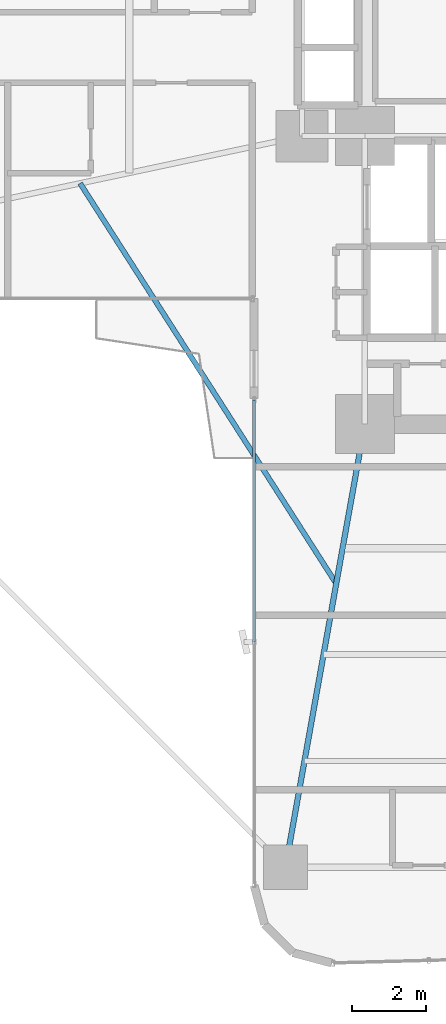
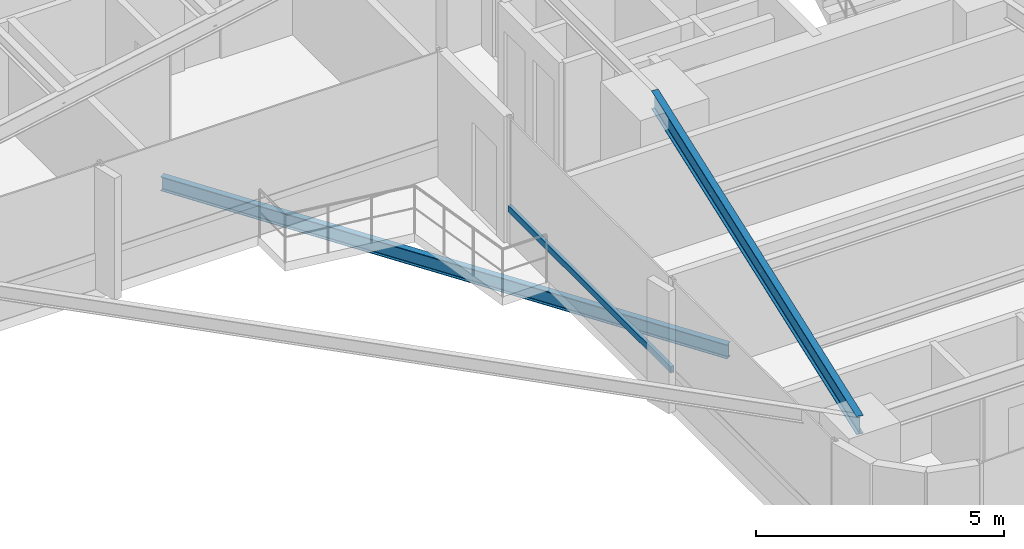
# One storey, part 3 of 26: 2 beams, 1 member, 1 element without a shape of its own.
"""IFC4 building model written with IfcOpenShell, lengths in metres."""

from ifc_helpers import new_model, si_unit, direction, frame, origin, origin_2d, place, context, subcontext, project, spatial, hollow_rectangle, i_section, extrude, source, transform, mapped, material, material_profile, profile_set, type_object, element, aggregate, save


model = new_model("IFC4")

# Units and contexts
model_context = context("Model", 3, precision=1e-05, world=origin(), true_north=direction((0.0, 1.0)))
body_context = subcontext(model_context, "Body", "Model", "MODEL_VIEW")
ifc_project = project(units=[si_unit("LENGTHUNIT", "METRE"), si_unit("AREAUNIT", "SQUARE_METRE"), si_unit("VOLUMEUNIT", "CUBIC_METRE"), si_unit("PLANEANGLEUNIT", "RADIAN"), si_unit("MASSUNIT", "GRAM", prefix="KILO")], contexts=[model_context])

# Site, building, storey
site_placement = place(None, origin())
site = spatial("IfcSite", under=ifc_project, at=site_placement, CompositionType="ELEMENT")
building_placement = place(site_placement, origin())
building = spatial("IfcBuilding", under=site, at=building_placement, Name="Sahyath Konkavel Grand Hotel", CompositionType="ELEMENT")
storey_placement = place(building_placement, frame((0.0, 0.0, 29.800048828125)))
storey = spatial("IfcBuildingStorey", under=building, at=storey_placement, Name="L07", CompositionType="ELEMENT", Elevation=29.800048828125)

# Beam
ifc_material_1 = material(Name="Steel E350", Category="steel")
ifc_material_profile_1 = material_profile(ifc_material_1, i_section(OverallWidth=0.14990234375, OverallDepth=0.449951171875, WebThickness=0.009521484375, FlangeThickness=0.017333984375, FilletRadius=0.014892578125, at=origin_2d()), Name="ISMB 450")
ifc_profile_set_1 = profile_set([ifc_material_profile_1], Name="Steel E350")
beam_type_1 = type_object("IfcBeamType", Name="BM-ISMB450", PredefinedType="BEAM", material=ifc_profile_set_1)
shared_shape_1 = source(origin(), body_context, "Body", "SweptSolid", [
    extrude(i_section(OverallWidth=0.14990234375, OverallDepth=0.449951171875, WebThickness=0.009521484375, FlangeThickness=0.017333984375, FilletRadius=0.014892578125, at=origin_2d()), origin(), (0.0, 0.0, 1.0), 12.191162109375),
])
beam_1_placement = place(storey_placement, frame((-3.800048828125, -10.199951171875, 2.885009765625), z_axis=(-0.176350650305, -0.984327409014, 0.0), x_axis=(0.984327409014, -0.176350650305, 0.0)))
element("IfcBeam", 1, at=beam_1_placement, inside=storey, type_object=beam_type_1, Name="L07 Cruciform Radial Girder SA", PredefinedType="BEAM", context=body_context, shape_type="MappedRepresentation", body=[
    mapped(shared_shape_1, transform((0.0, 0.0, 0.0), scale=1.0)),
])

# Curtain wall, member
ifc_material_2 = material(Name="Anodised Bronze Aluminium & Low-E Glazing", Category="aluminium")
curtain_wall_type = type_object("IfcCurtainWallType", Name="CW-ZONE1", PredefinedType="NOTDEFINED", material=ifc_material_2)
curtain_wall_placement = place(storey_placement, origin())
curtain_wall = element("IfcCurtainWall", 2, at=curtain_wall_placement, inside=storey, type_object=curtain_wall_type, Name="L07 Unitised Curtain Wall F24", PredefinedType="NOTDEFINED")
ifc_material_3 = material(Name="Anodised Bronze Aluminium", Category="aluminium")
ifc_material_profile_2 = material_profile(ifc_material_3, hollow_rectangle(XDim=0.080078125, YDim=0.159912109375, WallThickness=0.006103515625, at=origin_2d()), Name="RHS 160x80x6")
ifc_profile_set_2 = profile_set([ifc_material_profile_2], Name="Anodised Bronze Aluminium")
member_type = type_object("IfcMemberType", Name="CW-TRN-160", PredefinedType="USERDEFINED", material=ifc_profile_set_2)
shared_shape_2 = source(origin(), body_context, "Body", "SweptSolid", [
    extrude(hollow_rectangle(XDim=0.080078125, YDim=0.159912109375, WallThickness=0.006103515625, at=origin_2d()), origin(), (0.0, 0.0, 1.0), 6.56005859375),
])
member_placement = place(storey_placement, frame((-6.800048828125, -9.5400390625, 0.849853515625), z_axis=(0.0, -1.0, 0.0), x_axis=(1.0, 0.0, 0.0)))
member = element("IfcMember", 3, at=member_placement, type_object=member_type, Name="L07 Curtain Wall Transom F24-0-spandrel", ObjectType="TRANSOM", PredefinedType="USERDEFINED", context=body_context, shape_type="MappedRepresentation", body=[
    mapped(shared_shape_2, transform((0.0, 0.0, 0.0), scale=1.0)),
])
aggregate(curtain_wall, [member])

# Beam
ifc_material_profile_3 = material_profile(ifc_material_1, i_section(OverallWidth=0.139892578125, OverallDepth=0.35009765625, WebThickness=0.008056640625, FlangeThickness=0.01416015625, FilletRadius=0.013916015625, at=origin_2d()), Name="ISMB 350")
ifc_profile_set_3 = profile_set([ifc_material_profile_3], Name="Steel E350")
beam_type_2 = type_object("IfcBeamType", Name="BM-BALC-CANT", PredefinedType="BEAM", material=ifc_profile_set_3)
shared_shape_3 = source(origin(), body_context, "Body", "SweptSolid", [
    extrude(i_section(OverallWidth=0.139892578125, OverallDepth=0.35009765625, WebThickness=0.008056640625, FlangeThickness=0.01416015625, FilletRadius=0.013916015625, at=origin_2d()), origin(), (0.0, 0.0, 1.0), 12.871826171875),
])
beam_2_placement = place(storey_placement, frame((-11.511962890625, -3.677978515625, -0.4150390625), z_axis=(0.539003102535, -0.842303778608, 0.0), x_axis=(0.842303778608, 0.539003102535, 0.0)))
element("IfcBeam", 4, at=beam_2_placement, inside=storey, type_object=beam_type_2, Name="L07 Balcony Cantilever Support Beam SW", PredefinedType="BEAM", context=body_context, shape_type="MappedRepresentation", body=[
    mapped(shared_shape_3, transform((0.0, 0.0, 0.0), scale=1.0)),
])

save(model, "model.ifc")
